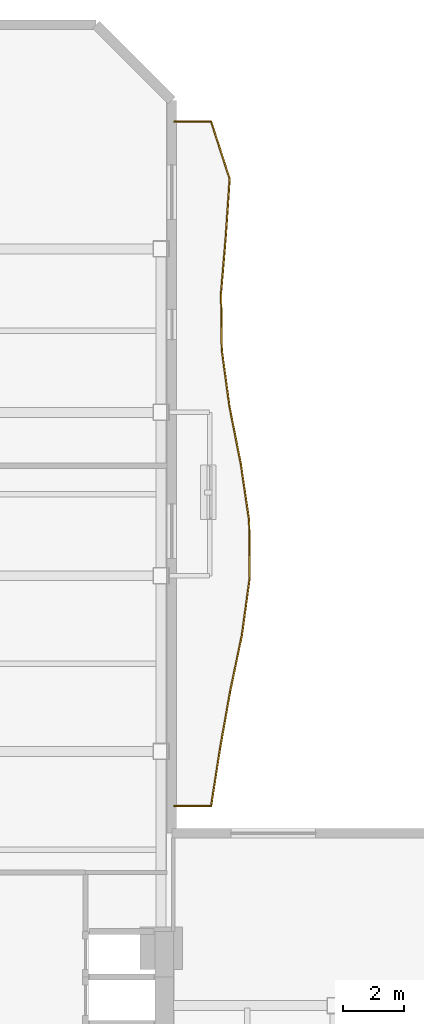
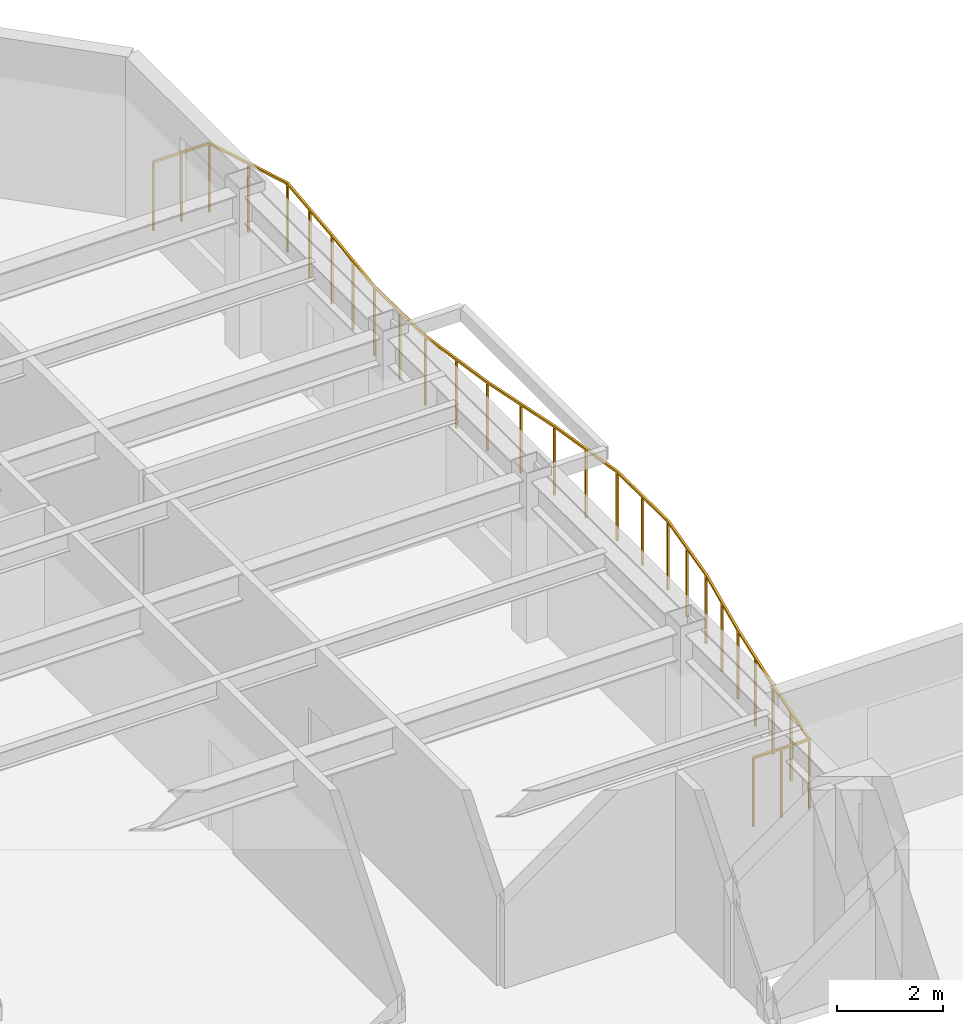
# One storey, part 10 of 10: 1 railing.
"""IFC4 building model written with IfcOpenShell, lengths in metres."""

from ifc_helpers import new_model, si_unit, direction, frame, origin, origin_2d, place, context, subcontext, project, spatial, rectangle, extrude, material, type_object, element, save


model = new_model("IFC4")

# Units and contexts
model_context = context("Model", 3, precision=1e-05, world=origin(), true_north=direction((0.0, 1.0)))
body_context = subcontext(model_context, "Body", "Model", "MODEL_VIEW")
ifc_project = project(units=[si_unit("LENGTHUNIT", "METRE"), si_unit("AREAUNIT", "SQUARE_METRE"), si_unit("VOLUMEUNIT", "CUBIC_METRE"), si_unit("PLANEANGLEUNIT", "RADIAN"), si_unit("MASSUNIT", "GRAM", prefix="KILO")], contexts=[model_context])

# Site, building, storey
site_placement = place(None, origin())
site = spatial("IfcSite", under=ifc_project, at=site_placement, CompositionType="ELEMENT")
building_placement = place(site_placement, origin())
building = spatial("IfcBuilding", under=site, at=building_placement, Name="Mawjaban Terraces University", CompositionType="ELEMENT")
storey_placement = place(building_placement, frame((0.0, 0.0, 58.300048828125)))
storey = spatial("IfcBuildingStorey", under=building, at=storey_placement, Name="L13", CompositionType="ELEMENT", Elevation=58.300048828125)

# Railing
ifc_material = material(Name="Galvanised powder-coated steel S355", Category="steel")
railing_type = type_object("IfcRailingType", Name="BalconyBalustrade_1600", PredefinedType="BALUSTRADE", material=ifc_material)
railing_placement = place(storey_placement, frame((38.080078125, 28.195068359375, 0.0)))
element("IfcRailing", 1, at=railing_placement, inside=storey, type_object=railing_type, Name="L13 Balcony Guardrail inner_east", PredefinedType="BALUSTRADE", context=body_context, shape_type="SweptSolid", body=[
    extrude(rectangle(XDim=0.048095703125, YDim=0.048095703125, at=origin_2d()), frame((0.0, 0.0, 1.576171875), z_axis=(1.0, 0.0, 0.0), x_axis=(0.0, 1.0, 0.0)), (0.0, 0.0, 1.0), 1.219970703125),
    extrude(rectangle(XDim=0.048095703125, YDim=0.048095703125, at=origin_2d()), frame((1.219970703125, 0.0, 1.576171875), z_axis=(0.153654219837, 0.988124678736, 0.0), x_axis=(-0.988124678736, 0.153654219837, 0.0)), (0.0, 0.0, 1.0), 1.90673828125),
    extrude(rectangle(XDim=0.048095703125, YDim=0.048095703125, at=origin_2d()), frame((1.512939453125, 1.884033203125, 1.576171875), z_axis=(0.17416409514, 0.984716643489, 0.0), x_axis=(-0.984716643489, 0.17416409514, 0.0)), (0.0, 0.0, 1.0), 1.912109375),
    extrude(rectangle(XDim=0.048095703125, YDim=0.048095703125, at=origin_2d()), frame((1.845947265625, 3.766845703125, 1.576171875), z_axis=(0.203746535737, 0.979023671407, 0.0), x_axis=(-0.979023671407, 0.203746535737, 0.0)), (0.0, 0.0, 1.0), 1.92431640625),
    extrude(rectangle(XDim=0.048095703125, YDim=0.048095703125, at=origin_2d()), frame((2.238037109375, 5.65087890625, 1.576171875), z_axis=(0.13557726015, 0.990766777062, 0.0), x_axis=(-0.990766777062, 0.13557726015, 0.0)), (0.0, 0.0, 1.0), 1.901611328125),
    extrude(rectangle(XDim=0.048095703125, YDim=0.048095703125, at=origin_2d()), frame((2.495849609375, 7.534912109375, 1.576171875), z_axis=(-0.009459211355, 0.999955260659, 0.0), x_axis=(-0.999955260659, -0.009459211355, 0.0)), (0.0, 0.0, 1.0), 1.884033203125),
    extrude(rectangle(XDim=0.048095703125, YDim=0.048095703125, at=origin_2d()), frame((2.47802734375, 9.4189453125, 1.576171875), z_axis=(-0.145512445013, 0.989356421289, 0.0), x_axis=(-0.989356421289, -0.145512445013, 0.0)), (0.0, 0.0, 1.0), 1.904296875),
    extrude(rectangle(XDim=0.048095703125, YDim=0.048095703125, at=origin_2d()), frame((2.200927734375, 11.302978515625, 1.576171875), z_axis=(-0.193840824881, 0.98103299364, 0.0), x_axis=(-0.98103299364, -0.193840824881, 0.0)), (0.0, 0.0, 1.0), 1.91943359375),
    extrude(rectangle(XDim=0.048095703125, YDim=0.048095703125, at=origin_2d()), frame((1.828857421875, 13.18603515625, 1.576171875), z_axis=(-0.134585953266, 0.99090192309, 0.0), x_axis=(-0.99090192309, -0.134585953266, 0.0)), (0.0, 0.0, 1.0), 1.901123046875),
    extrude(rectangle(XDim=0.048095703125, YDim=0.048095703125, at=origin_2d()), frame((1.572998046875, 15.06982421875, 1.576171875), z_axis=(-0.01230955064, 0.999924234611, 0.0), x_axis=(-0.999924234611, -0.01230955064, 0.0)), (0.0, 0.0, 1.0), 1.88427734375),
    extrude(rectangle(XDim=0.048095703125, YDim=0.048095703125, at=origin_2d()), frame((1.5498046875, 16.953857421875, 1.576171875), z_axis=(0.083205867042, 0.996532379649, 0.0), x_axis=(-0.996532379649, 0.083205867042, 0.0)), (0.0, 0.0, 1.0), 1.8896484375),
    extrude(rectangle(XDim=0.048095703125, YDim=0.048095703125, at=origin_2d()), frame((1.70703125, 18.8369140625, 1.576171875), z_axis=(0.067231237369, 0.997737420728, 0.0), x_axis=(-0.997737420728, 0.067231237369, 0.0)), (0.0, 0.0, 1.0), 1.88818359375),
    extrude(rectangle(XDim=0.048095703125, YDim=0.048095703125, at=origin_2d()), frame((1.833984375, 20.720947265625, 1.576171875), z_axis=(-0.309863232872, 0.950781140386, 0.0), x_axis=(-0.950781140386, -0.309863232872, 0.0)), (0.0, 0.0, 1.0), 1.9814453125),
    extrude(rectangle(XDim=0.048095703125, YDim=0.048095703125, at=origin_2d()), frame((1.219970703125, 22.60498046875, 1.576171875), z_axis=(-1.0, 0.0, 0.0), x_axis=(0.0, -1.0, 0.0)), (0.0, 0.0, 1.0), 1.219970703125),
    extrude(rectangle(XDim=0.0419921875, YDim=0.0419921875, at=origin_2d()), origin(), (0.0, 0.0, 1.0), 1.552001953125),
    extrude(rectangle(XDim=0.0419921875, YDim=0.0419921875, at=origin_2d()), frame((0.60986328125, 0.0, 0.0)), (0.0, 0.0, 1.0), 1.552001953125),
    extrude(rectangle(XDim=0.0419921875, YDim=0.0419921875, at=origin_2d()), frame((1.219970703125, 0.0, 0.0)), (0.0, 0.0, 1.0), 1.552001953125),
    extrude(rectangle(XDim=0.0419921875, YDim=0.0419921875, at=origin_2d()), frame((1.366455078125, 0.94189453125, 0.0)), (0.0, 0.0, 1.0), 1.552001953125),
    extrude(rectangle(XDim=0.0419921875, YDim=0.0419921875, at=origin_2d()), frame((1.512939453125, 1.884033203125, 0.0)), (0.0, 0.0, 1.0), 1.552001953125),
    extrude(rectangle(XDim=0.0419921875, YDim=0.0419921875, at=origin_2d()), frame((1.679443359375, 2.825439453125, 0.0)), (0.0, 0.0, 1.0), 1.552001953125),
    extrude(rectangle(XDim=0.0419921875, YDim=0.0419921875, at=origin_2d()), frame((1.845947265625, 3.766845703125, 0.0)), (0.0, 0.0, 1.0), 1.552001953125),
    extrude(rectangle(XDim=0.0419921875, YDim=0.0419921875, at=origin_2d()), frame((2.0419921875, 4.708984375, 0.0)), (0.0, 0.0, 1.0), 1.552001953125),
    extrude(rectangle(XDim=0.0419921875, YDim=0.0419921875, at=origin_2d()), frame((2.238037109375, 5.65087890625, 0.0)), (0.0, 0.0, 1.0), 1.552001953125),
    extrude(rectangle(XDim=0.0419921875, YDim=0.0419921875, at=origin_2d()), frame((2.366943359375, 6.5927734375, 0.0)), (0.0, 0.0, 1.0), 1.552001953125),
    extrude(rectangle(XDim=0.0419921875, YDim=0.0419921875, at=origin_2d()), frame((2.495849609375, 7.534912109375, 0.0)), (0.0, 0.0, 1.0), 1.552001953125),
    extrude(rectangle(XDim=0.0419921875, YDim=0.0419921875, at=origin_2d()), frame((2.48681640625, 8.47705078125, 0.0)), (0.0, 0.0, 1.0), 1.552001953125),
    extrude(rectangle(XDim=0.0419921875, YDim=0.0419921875, at=origin_2d()), frame((2.47802734375, 9.4189453125, 0.0)), (0.0, 0.0, 1.0), 1.552001953125),
    extrude(rectangle(XDim=0.0419921875, YDim=0.0419921875, at=origin_2d()), frame((2.33935546875, 10.36083984375, 0.0)), (0.0, 0.0, 1.0), 1.552001953125),
    extrude(rectangle(XDim=0.0419921875, YDim=0.0419921875, at=origin_2d()), frame((2.200927734375, 11.302978515625, 0.0)), (0.0, 0.0, 1.0), 1.552001953125),
    extrude(rectangle(XDim=0.0419921875, YDim=0.0419921875, at=origin_2d()), frame((2.014892578125, 12.24462890625, 0.0)), (0.0, 0.0, 1.0), 1.552001953125),
    extrude(rectangle(XDim=0.0419921875, YDim=0.0419921875, at=origin_2d()), frame((1.828857421875, 13.18603515625, 0.0)), (0.0, 0.0, 1.0), 1.552001953125),
    extrude(rectangle(XDim=0.0419921875, YDim=0.0419921875, at=origin_2d()), frame((1.700927734375, 14.1279296875, 0.0)), (0.0, 0.0, 1.0), 1.552001953125),
    extrude(rectangle(XDim=0.0419921875, YDim=0.0419921875, at=origin_2d()), frame((1.572998046875, 15.06982421875, 0.0)), (0.0, 0.0, 1.0), 1.552001953125),
    extrude(rectangle(XDim=0.0419921875, YDim=0.0419921875, at=origin_2d()), frame((1.5615234375, 16.01171875, 0.0)), (0.0, 0.0, 1.0), 1.552001953125),
    extrude(rectangle(XDim=0.0419921875, YDim=0.0419921875, at=origin_2d()), frame((1.5498046875, 16.953857421875, 0.0)), (0.0, 0.0, 1.0), 1.552001953125),
    extrude(rectangle(XDim=0.0419921875, YDim=0.0419921875, at=origin_2d()), frame((1.62841796875, 17.8955078125, 0.0)), (0.0, 0.0, 1.0), 1.552001953125),
    extrude(rectangle(XDim=0.0419921875, YDim=0.0419921875, at=origin_2d()), frame((1.70703125, 18.8369140625, 0.0)), (0.0, 0.0, 1.0), 1.552001953125),
    extrude(rectangle(XDim=0.0419921875, YDim=0.0419921875, at=origin_2d()), frame((1.7705078125, 19.77880859375, 0.0)), (0.0, 0.0, 1.0), 1.552001953125),
    extrude(rectangle(XDim=0.0419921875, YDim=0.0419921875, at=origin_2d()), frame((1.833984375, 20.720947265625, 0.0)), (0.0, 0.0, 1.0), 1.552001953125),
    extrude(rectangle(XDim=0.0419921875, YDim=0.0419921875, at=origin_2d()), frame((1.52685546875, 21.6630859375, 0.0)), (0.0, 0.0, 1.0), 1.552001953125),
    extrude(rectangle(XDim=0.0419921875, YDim=0.0419921875, at=origin_2d()), frame((1.219970703125, 22.60498046875, 0.0)), (0.0, 0.0, 1.0), 1.552001953125),
    extrude(rectangle(XDim=0.0419921875, YDim=0.0419921875, at=origin_2d()), frame((0.60986328125, 22.60498046875, 0.0)), (0.0, 0.0, 1.0), 1.552001953125),
    extrude(rectangle(XDim=0.0419921875, YDim=0.0419921875, at=origin_2d()), frame((0.0, 22.60498046875, 0.0)), (0.0, 0.0, 1.0), 1.552001953125),
])

save(model, "model.ifc")
